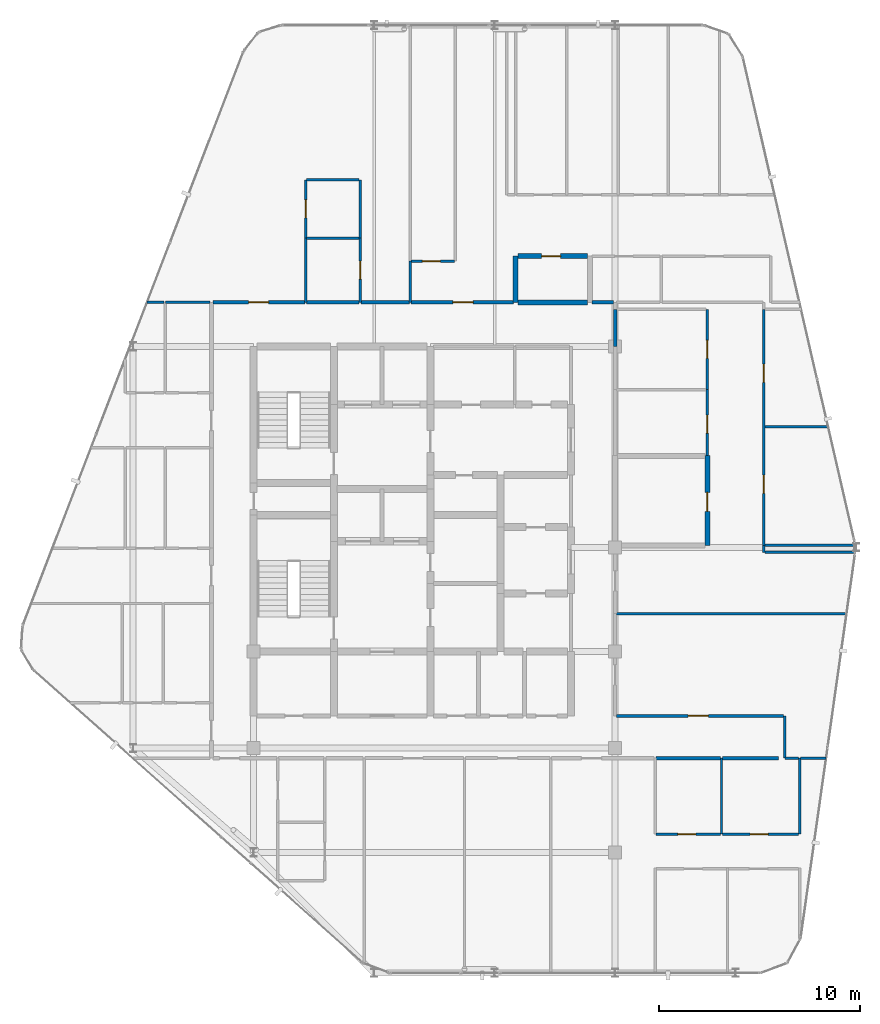
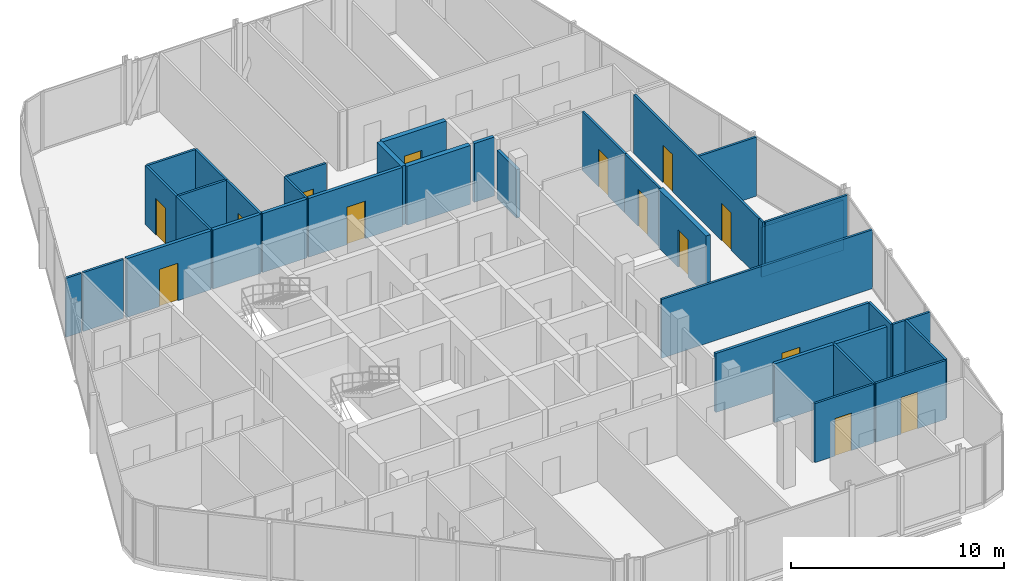
# One storey, part 25 of 27: 38 walls, 14 doors, 14 openings.
"""IFC4 building model written with IfcOpenShell, lengths in metres."""

import ifcopenshell
import ifcopenshell.guid

model = None  # the IFC model being written
_history = None  # IfcOwnerHistory: only IFC2X3 demands one
_inside = {}  # id of a spatial element -> (the spatial element, [elements in it])
_under = {}  # id of a project, library or spatial element -> (it, [spatial elements below it])
_declared = {}  # id of a project -> (the project, [libraries it declares])
_typed = {}  # id of a type object -> (the type object, [elements of that type])
_made_of = {}  # id of a material, layer set ... -> (it, [elements and type objects made of it])


def new_model(schema):
    """Start an empty IFC model of exactly this schema.

    Asked for "IFC4X3", IfcOpenShell would pick the latest addendum, in which some entities
    have other attributes; the version numbers below select the first issue.
    IFC2X3 requires an IfcOwnerHistory on every rooted entity: one is made here for all.
    """
    global model, _history
    if schema == "IFC4X3":
        model = ifcopenshell.file(schema_version=(4, 3, 0, 0))
    else:
        model = ifcopenshell.file(schema=schema)
    _inside.clear()
    _under.clear()
    _declared.clear()
    _typed.clear()
    _made_of.clear()
    _history = None
    if model.schema == "IFC2X3":
        org = make("IfcOrganization", Name="unknown")
        user = make(
            "IfcPersonAndOrganization",
            ThePerson=make("IfcPerson", FamilyName="unknown"),
            TheOrganization=org,
        )
        app = make(
            "IfcApplication",
            ApplicationDeveloper=org,
            Version="unknown",
            ApplicationFullName="unknown",
            ApplicationIdentifier="unknown",
        )
        _history = make(
            "IfcOwnerHistory",
            OwningUser=user,
            OwningApplication=app,
            ChangeAction="ADDED",
            CreationDate=0,
        )
    return model


def make(cls, **values):
    """One entity of the class cls with the attributes given. An attribute that is None is left unset."""
    return model.create_entity(
        cls, **{name: value for name, value in values.items() if value is not None}
    )


def rooted(cls, **values):
    """An entity with a GlobalId (a new one), such as an element, a storey or a relation."""
    return make(cls, GlobalId=ifcopenshell.guid.new(), OwnerHistory=_history, **values)


def si_unit(unit_type, name, prefix=None):
    """IfcSIUnit, for example si_unit("LENGTHUNIT", "METRE", prefix="MILLI")."""
    return make("IfcSIUnit", UnitType=unit_type, Prefix=prefix, Name=name)


def assignment(units):
    """IfcUnitAssignment: the units of a project."""
    return None if units is None else make("IfcUnitAssignment", Units=units)


def point(xyz):
    """IfcCartesianPoint."""
    return None if xyz is None else make("IfcCartesianPoint", Coordinates=xyz)


def direction(xyz):
    """IfcDirection."""
    return None if xyz is None else make("IfcDirection", DirectionRatios=xyz)


def frame(location, z_axis=None, x_axis=None):
    """IfcAxis2Placement3D, a coordinate frame: its origin and axes. An axis left out is left unset."""
    return make(
        "IfcAxis2Placement3D",
        Location=point(location),
        Axis=direction(z_axis),
        RefDirection=direction(x_axis),
    )


def frame_2d(location, x_axis=None):
    """IfcAxis2Placement2D, a coordinate frame in the plane: its origin and x axis."""
    return make(
        "IfcAxis2Placement2D", Location=point(location), RefDirection=direction(x_axis)
    )


def origin():
    """The frame at (0, 0, 0) with its axes left unset."""
    return frame((0.0, 0.0, 0.0))


def place(relative_to, where):
    """IfcLocalPlacement: puts the frame where relative to a parent placement (None: the world)."""
    return make(
        "IfcLocalPlacement", PlacementRelTo=relative_to, RelativePlacement=where
    )


def context(
    kind, dimensions, precision=None, world=None, true_north=None, identifier=None
):
    """IfcGeometricRepresentationContext, for example the 3D "Model" context."""
    return make(
        "IfcGeometricRepresentationContext",
        ContextIdentifier=identifier,
        ContextType=kind,
        CoordinateSpaceDimension=dimensions,
        Precision=precision,
        WorldCoordinateSystem=world,
        TrueNorth=true_north,
    )


def subcontext(parent, identifier, kind, view, scale=None):
    """IfcGeometricRepresentationSubContext, for example "Body" below "Model"."""
    return make(
        "IfcGeometricRepresentationSubContext",
        ContextIdentifier=identifier,
        ContextType=kind,
        ParentContext=parent,
        TargetScale=scale,
        TargetView=view,
    )


def project(units=None, contexts=None):
    """IfcProject with its units and contexts."""
    return rooted(
        "IfcProject",
        Name="project",
        RepresentationContexts=contexts,
        UnitsInContext=assignment(units),
    )


def spatial(cls, under=None, at=None, **own):
    """A site, building, storey or space (cls), placed at a placement, below another one or the project."""
    s = rooted(cls, ObjectPlacement=at, **own)
    if under is not None:
        _under.setdefault(under.id(), (under, []))[1].append(s)
    return s


def profile(cls, at=None, kind="AREA", **sizes):
    """A parametric profile (cls). Its sizes go by their IFC names, for example OverallWidth=200.0."""
    return make(cls, ProfileType=kind, Position=at, **sizes)


def rectangle(**sizes):
    """IfcRectangleProfileDef."""
    return profile("IfcRectangleProfileDef", **sizes)


def extrude(swept, where, along, depth):
    """IfcExtrudedAreaSolid: the profile swept, set in the frame where, extruded along a direction by depth."""
    return make(
        "IfcExtrudedAreaSolid",
        SweptArea=swept,
        Position=where,
        ExtrudedDirection=direction(along),
        Depth=depth,
    )


def shape(context_of_items, identifier, shape_type, items):
    """IfcShapeRepresentation: the items that make up one representation, for example the "Body"."""
    return make(
        "IfcShapeRepresentation",
        ContextOfItems=context_of_items,
        RepresentationIdentifier=identifier,
        RepresentationType=shape_type,
        Items=items,
    )


def material(Name=None, Category=None):
    """IfcMaterial."""
    return make("IfcMaterial", Name=Name, Category=Category)


def layer(
    of_material, thickness, ventilated=None, Name=None, Category=None, Priority=None
):
    """IfcMaterialLayer: one layer of a wall or slab, of a material (None: an air gap)."""
    return make(
        "IfcMaterialLayer",
        Material=of_material,
        LayerThickness=thickness,
        IsVentilated=ventilated,
        Name=Name,
        Category=Category,
        Priority=Priority,
    )


def layer_set(layers, Name=None):
    """IfcMaterialLayerSet."""
    return make("IfcMaterialLayerSet", MaterialLayers=layers, LayerSetName=Name)


def made_of(thing, what):
    """Note that an element or type object is made of a material, layer set ...; save() writes the relation."""
    if what is not None:
        _made_of.setdefault(what.id(), (what, []))[1].append(thing)
    return thing


def type_object(cls, material=None, **own):
    """A type object (cls), such as IfcWallType, which elements share."""
    return made_of(rooted(cls, **own), material)


def element(
    cls,
    number,
    at=None,
    inside=None,
    cuts=None,
    type_object=None,
    material=None,
    context=None,
    identifier="Body",
    shape_type=None,
    held_by="IfcProductDefinitionShape",
    body=None,
    shapes=None,
    **own,
):
    """One element of the class cls, such as IfcWall. Its Tag is "e" and its number.

    at: its placement. inside: the storey or other place that contains it. cuts: it is an
    opening in that element (IfcRelVoidsElement). A single representation is given by context,
    identifier, shape_type and body (its items); several are given by shapes. held_by: the class
    of the entity that holds the representations. save() writes the other relations.
    """
    e = rooted(cls, Tag="e%d" % number, ObjectPlacement=at, **own)
    if body is not None:
        shapes = [shape(context, identifier, shape_type, body)]
    if shapes is not None:
        e.Representation = make(held_by, Representations=shapes)
    if inside is not None:
        _inside.setdefault(inside.id(), (inside, []))[1].append(e)
    if cuts is not None:
        rooted(
            "IfcRelVoidsElement", RelatingBuildingElement=cuts, RelatedOpeningElement=e
        )
    if type_object is not None:
        _typed.setdefault(type_object.id(), (type_object, []))[1].append(e)
    return made_of(e, material)


def fill(opening, filler):
    """IfcRelFillsElement: the door or window that sits in an opening."""
    return rooted(
        "IfcRelFillsElement",
        RelatingOpeningElement=opening,
        RelatedBuildingElement=filler,
    )


def aggregate(whole, parts):
    """IfcRelAggregates: a whole, such as a stair, and the parts it consists of."""
    return rooted("IfcRelAggregates", RelatingObject=whole, RelatedObjects=parts)


def save(model, path):
    """Write the relations noted so far, then the file.

    IfcRelAggregates (storeys below a building ...), IfcRelContainedInSpatialStructure (elements
    in a storey), IfcRelDefinesByType, IfcRelAssociatesMaterial and IfcRelDeclares: one each for
    every whole, place, type object, material and project.
    """
    for whole, parts in _under.values():
        aggregate(whole, parts)
    for where, things in _inside.values():
        rooted(
            "IfcRelContainedInSpatialStructure",
            RelatedElements=things,
            RelatingStructure=where,
        )
    for kind, things in _typed.values():
        rooted("IfcRelDefinesByType", RelatedObjects=things, RelatingType=kind)
    for what, things in _made_of.values():
        rooted("IfcRelAssociatesMaterial", RelatedObjects=things, RelatingMaterial=what)
    for by, libraries in _declared.values():
        rooted("IfcRelDeclares", RelatingContext=by, RelatedDefinitions=libraries)
    model.write(path)


model = new_model("IFC4")

# Units and contexts
model_context = context("Model", 3, precision=1e-05, world=origin(), true_north=direction((0.0, 1.0)))
body_context = subcontext(model_context, "Body", "Model", "MODEL_VIEW")
ifc_project = project(units=[si_unit("LENGTHUNIT", "METRE"), si_unit("AREAUNIT", "SQUARE_METRE"), si_unit("VOLUMEUNIT", "CUBIC_METRE"), si_unit("PLANEANGLEUNIT", "RADIAN"), si_unit("MASSUNIT", "GRAM", prefix="KILO")], contexts=[model_context])

# Site, building, storey
site_placement = place(None, origin())
site = spatial("IfcSite", under=ifc_project, at=site_placement, CompositionType="ELEMENT")
building_placement = place(site_placement, origin())
building = spatial("IfcBuilding", under=site, at=building_placement, Name="Keshet Zoharim Tower", CompositionType="ELEMENT")
storey_placement = place(building_placement, frame((0.0, 0.0, 295.39990234375)))
storey = spatial("IfcBuildingStorey", under=building, at=storey_placement, Name="L74", CompositionType="ELEMENT", Elevation=295.39990234375)

# Wall, opening, door
ifc_material_1 = material(Name="Gypsum Plasterboard", Category="gypsum")
ifc_layer_1 = layer(ifc_material_1, 0.14990234375)
ifc_layer_set_1 = layer_set([ifc_layer_1], Name="Gypsum Plasterboard")
wall_type_1 = type_object("IfcWallType", Name="WL-CLIN-150", PredefinedType="STANDARD", material=ifc_layer_set_1)
wall_1_placement = place(storey_placement, frame((33.06005859375, 19.5, 0.0), z_axis=(0.0, 0.0, 1.0), x_axis=(1.0, 0.0, 0.0)))
wall_1 = element("IfcWall", 1, at=wall_1_placement, inside=storey, type_object=wall_type_1, Name="L74 Interior Wall 107", PredefinedType="STANDARD", context=body_context, shape_type="SweptSolid", body=[
    extrude(rectangle(XDim=8.322998046875, YDim=0.14990234375, at=frame_2d((4.16162109375, 0.0))), origin(), (0.0, 0.0, 1.0), 3.380126953125),
])
opening_1_placement = place(wall_1_placement, frame((3.5830078125, 0.0, 0.0)))
opening_1 = element("IfcOpeningElement", 2, at=opening_1_placement, cuts=wall_1, Name="Opening D-F310", PredefinedType="OPENING", context=body_context, shape_type="SweptSolid", body=[
    extrude(rectangle(XDim=1.0, YDim=2.14990234375, at=frame_2d((0.5, 1.074951171875))), frame((0.0, 0.0849609375, 0.0), z_axis=(0.0, -1.0, 0.0), x_axis=(1.0, 0.0, 0.0)), (0.0, 0.0, 1.0), 0.169921875),
])
ifc_material_2 = material(Name="Hardwood Timber", Category="wood")
door_type_1 = type_object("IfcDoorType", Name="DR-FD30-100", OperationType="NOTDEFINED", PredefinedType="DOOR", material=ifc_material_2)
door_1_placement = place(opening_1_placement, origin())
door_1 = element("IfcDoor", 3, at=door_1_placement, inside=storey, type_object=door_type_1, Name="L74 South West Residents Services Suite Door 1", OperationType="SINGLE_SWING_RIGHT", OverallHeight=2.14990234375, OverallWidth=1.0, PredefinedType="DOOR", context=body_context, shape_type="SweptSolid", body=[
    extrude(rectangle(XDim=1.0, YDim=2.14990234375, at=frame_2d((0.5, 1.074951171875))), frame((0.0, 0.02490234375, 0.0), z_axis=(0.0, -1.0, 0.0), x_axis=(1.0, 0.0, 0.0)), (0.0, 0.0, 1.0), 0.050048828125),
])
fill(opening_1, door_1)

# Walls
ifc_layer_2 = layer(ifc_material_1, 0.179931640625)
ifc_layer_set_2 = layer_set([ifc_layer_2], Name="Gypsum Plasterboard")
wall_type_2 = type_object("IfcWallType", Name="WL-CORR-180", PredefinedType="STANDARD", material=ifc_layer_set_2)
wall_2_placement = place(storey_placement, frame((35.034912109375, 17.39990234375, 0.0), z_axis=(0.0, 0.0, 1.0), x_axis=(1.0, 0.0, 0.0)))
element("IfcWall", 4, at=wall_2_placement, inside=storey, type_object=wall_type_2, Name="L74 Interior Wall 099", PredefinedType="STANDARD", context=body_context, shape_type="SweptSolid", body=[
    extrude(rectangle(XDim=3.22216796875, YDim=0.179931640625, at=frame_2d((1.611083984375, 0.0))), origin(), (0.0, 0.0, 1.0), 3.380126953125),
])
wall_3_placement = place(storey_placement, frame((38.346923828125, 17.39990234375, 0.0), z_axis=(0.0, 0.0, 1.0), x_axis=(1.0, 0.0, 0.0)))
element("IfcWall", 5, at=wall_3_placement, inside=storey, type_object=wall_type_2, Name="L74 Interior Wall 100", PredefinedType="STANDARD", context=body_context, shape_type="SweptSolid", body=[
    extrude(rectangle(XDim=2.782958984375, YDim=0.179931640625, at=frame_2d((1.3916015625, 0.0))), origin(), (0.0, 0.0, 1.0), 3.380126953125),
])

# Wall, opening, door
wall_4_placement = place(storey_placement, frame((12.97509765625, 40.10009765625, 0.0), z_axis=(0.0, 0.0, 1.0), x_axis=(1.0, 0.0, 0.0)))
wall_4 = element("IfcWall", 6, at=wall_4_placement, inside=storey, type_object=wall_type_2, Name="L74 Interior Wall 155", PredefinedType="STANDARD", context=body_context, shape_type="SweptSolid", body=[
    extrude(rectangle(XDim=4.579833984375, YDim=0.179931640625, at=frame_2d((2.2900390625, 0.0))), origin(), (0.0, 0.0, 1.0), 3.380126953125),
])
opening_2_placement = place(wall_4_placement, frame((1.77490234375, 0.0, 0.0)))
opening_2 = element("IfcOpeningElement", 7, at=opening_2_placement, cuts=wall_4, Name="Opening D-F310", PredefinedType="OPENING", context=body_context, shape_type="SweptSolid", body=[
    extrude(rectangle(XDim=1.0, YDim=2.14990234375, at=frame_2d((0.5, 1.074951171875))), frame((0.0, 0.10009765625, 0.0), z_axis=(0.0, -1.0, 0.0), x_axis=(1.0, 0.0, 0.0)), (0.0, 0.0, 1.0), 0.199951171875),
])
door_2_placement = place(opening_2_placement, origin())
door_2 = element("IfcDoor", 8, at=door_2_placement, inside=storey, type_object=door_type_1, Name="Apartment 7403 Entrance Door", OperationType="SINGLE_SWING_LEFT", OverallHeight=2.14990234375, OverallWidth=1.0, PredefinedType="DOOR", context=body_context, shape_type="SweptSolid", body=[
    extrude(rectangle(XDim=1.0, YDim=2.14990234375, at=frame_2d((0.5, 1.074951171875))), frame((0.0, 0.02490234375, 0.0), z_axis=(0.0, -1.0, 0.0), x_axis=(1.0, 0.0, 0.0)), (0.0, 0.0, 1.0), 0.050048828125),
])
fill(opening_2, door_2)

# Walls
wall_5_placement = place(storey_placement, frame((17.64501953125, 40.10009765625, 0.0), z_axis=(0.0, 0.0, 1.0), x_axis=(1.0, 0.0, 0.0)))
element("IfcWall", 9, at=wall_5_placement, inside=storey, type_object=wall_type_2, Name="L74 Interior Wall 156", PredefinedType="STANDARD", context=body_context, shape_type="SweptSolid", body=[
    extrude(rectangle(XDim=2.60986328125, YDim=0.179931640625, at=frame_2d((1.304931640625, 0.0))), origin(), (0.0, 0.0, 1.0), 3.380126953125),
])
wall_6_placement = place(storey_placement, frame((20.344970703125, 40.10009765625, 0.0), z_axis=(0.0, 0.0, 1.0), x_axis=(1.0, 0.0, 0.0)))
element("IfcWall", 10, at=wall_6_placement, inside=storey, type_object=wall_type_2, Name="L74 Interior Wall 157", PredefinedType="STANDARD", context=body_context, shape_type="SweptSolid", body=[
    extrude(rectangle(XDim=2.409912109375, YDim=0.179931640625, at=frame_2d((1.205078125, 0.0))), origin(), (0.0, 0.0, 1.0), 3.380126953125),
])

# Wall, opening, door
wall_7_placement = place(storey_placement, frame((22.844970703125, 40.10009765625, 0.0), z_axis=(0.0, 0.0, 1.0), x_axis=(1.0, 0.0, 0.0)))
wall_7 = element("IfcWall", 11, at=wall_7_placement, inside=storey, type_object=wall_type_2, Name="L74 Interior Wall 158", PredefinedType="STANDARD", context=body_context, shape_type="SweptSolid", body=[
    extrude(rectangle(XDim=5.094970703125, YDim=0.179931640625, at=frame_2d((2.54736328125, 0.0))), origin(), (0.0, 0.0, 1.0), 3.380126953125),
])
opening_3_placement = place(wall_7_placement, frame((2.080078125, 0.0, 0.0)))
opening_3 = element("IfcOpeningElement", 12, at=opening_3_placement, cuts=wall_7, Name="Opening D-F310", PredefinedType="OPENING", context=body_context, shape_type="SweptSolid", body=[
    extrude(rectangle(XDim=1.0, YDim=2.14990234375, at=frame_2d((0.5, 1.074951171875))), frame((0.0, 0.10009765625, 0.0), z_axis=(0.0, -1.0, 0.0), x_axis=(1.0, 0.0, 0.0)), (0.0, 0.0, 1.0), 0.199951171875),
])
door_3_placement = place(opening_3_placement, origin())
door_3 = element("IfcDoor", 13, at=door_3_placement, inside=storey, type_object=door_type_1, Name="Apartment 7404 Entrance Door", OperationType="SINGLE_SWING_RIGHT", OverallHeight=2.14990234375, OverallWidth=1.0, PredefinedType="DOOR", context=body_context, shape_type="SweptSolid", body=[
    extrude(rectangle(XDim=1.0, YDim=2.14990234375, at=frame_2d((0.5, 1.074951171875))), frame((0.0, 0.02490234375, 0.0), z_axis=(0.0, -1.0, 0.0), x_axis=(1.0, 0.0, 0.0)), (0.0, 0.0, 1.0), 0.050048828125),
])
fill(opening_3, door_3)

# Walls
wall_8_placement = place(storey_placement, frame((31.843017578125, 40.10009765625, 0.0), z_axis=(0.0, 0.0, 1.0), x_axis=(1.0, 0.0, 0.0)))
element("IfcWall", 14, at=wall_8_placement, inside=storey, type_object=wall_type_2, Name="L74 Interior Wall 160", PredefinedType="STANDARD", context=body_context, shape_type="SweptSolid", body=[
    extrude(rectangle(XDim=1.08203125, YDim=0.179931640625, at=frame_2d((0.541015625, 0.0))), origin(), (0.0, 0.0, 1.0), 3.380126953125),
])
wall_9_placement = place(storey_placement, frame((33.0, 37.89990234375, 0.0), z_axis=(0.0, 0.0, 1.0), x_axis=(0.0, 1.0, 0.0)))
element("IfcWall", 15, at=wall_9_placement, inside=storey, type_object=wall_type_2, Name="L74 Interior Wall 067 Part 2", PredefinedType="STANDARD", context=body_context, shape_type="SweptSolid", body=[
    extrude(rectangle(XDim=1.85009765625, YDim=0.179931640625, at=frame_2d((0.925048828125, 0.0))), origin(), (0.0, 0.0, 1.0), 2.780029296875),
])
ifc_material_3 = material(Name="Concrete C50/60", Category="concrete")
ifc_layer_3 = layer(ifc_material_3, 0.25)
ifc_layer_set_3 = layer_set([ifc_layer_3], Name="Concrete C50/60")
wall_type_3 = type_object("IfcWallType", Name="WL-MAMAD-250", PredefinedType="STANDARD", material=ifc_layer_set_3)
wall_10_placement = place(storey_placement, frame((28.050048828125, 40.10009765625, 0.0), z_axis=(0.0, 0.0, 1.0), x_axis=(0.0, 1.0, 0.0)))
element("IfcWall", 16, at=wall_10_placement, inside=storey, type_object=wall_type_3, Name="L74 Interior Wall 051", PredefinedType="STANDARD", context=body_context, shape_type="SweptSolid", body=[
    extrude(rectangle(XDim=2.2998046875, YDim=0.25, at=frame_2d((1.14990234375, 0.0))), origin(), (0.0, 0.0, 1.0), 3.380126953125),
])

# Wall, opening, door
wall_11_placement = place(storey_placement, frame((37.60009765625, 28.0, 0.0), z_axis=(0.0, 0.0, 1.0), x_axis=(0.0, 1.0, 0.0)))
wall_11 = element("IfcWall", 17, at=wall_11_placement, inside=storey, type_object=wall_type_3, Name="L74 Interior Wall 074", PredefinedType="STANDARD", context=body_context, shape_type="SweptSolid", body=[
    extrude(rectangle(XDim=4.465087890625, YDim=0.25, at=frame_2d((2.232421875, 0.0))), origin(), (0.0, 0.0, 1.0), 3.380126953125),
])
opening_4_placement = place(wall_11_placement, frame((1.68603515625, 0.0, 0.0)))
opening_4 = element("IfcOpeningElement", 18, at=opening_4_placement, cuts=wall_11, Name="Opening D-F695", PredefinedType="OPENING", context=body_context, shape_type="SweptSolid", body=[
    extrude(rectangle(XDim=0.949951171875, YDim=2.14990234375, at=frame_2d((0.47509765625, 1.074951171875))), frame((0.0, 0.135009765625, 0.0), z_axis=(0.0, -1.0, 0.0), x_axis=(1.0, 0.0, 0.0)), (0.0, 0.0, 1.0), 0.27001953125),
])
door_type_2 = type_object("IfcDoorType", Name="DR-FD60-095", OperationType="NOTDEFINED", PredefinedType="DOOR", material=ifc_material_2)
door_4_placement = place(opening_4_placement, origin())
door_4 = element("IfcDoor", 19, at=door_4_placement, inside=storey, type_object=door_type_2, Name="Apartment 7408 Study and Shelter Room Door", OperationType="SINGLE_SWING_RIGHT", OverallHeight=2.14990234375, OverallWidth=0.949951171875, PredefinedType="DOOR", context=body_context, shape_type="SweptSolid", body=[
    extrude(rectangle(XDim=0.949951171875, YDim=2.14990234375, at=frame_2d((0.47509765625, 1.074951171875))), frame((0.0, 0.02490234375, 0.0), z_axis=(0.0, -1.0, 0.0), x_axis=(1.0, 0.0, 0.0)), (0.0, 0.0, 1.0), 0.050048828125),
])
fill(opening_4, door_4)

# Wall
wall_12_placement = place(storey_placement, frame((28.159912109375, 40.10009765625, 0.0), z_axis=(0.0, 0.0, 1.0), x_axis=(1.0, 0.0, 0.0)))
element("IfcWall", 20, at=wall_12_placement, inside=storey, type_object=wall_type_3, Name="L74 Interior Wall 159", PredefinedType="STANDARD", context=body_context, shape_type="SweptSolid", body=[
    extrude(rectangle(XDim=3.463134765625, YDim=0.25, at=frame_2d((1.7314453125, 0.0))), origin(), (0.0, 0.0, 1.0), 3.380126953125),
])

# Wall, opening, door
wall_13_placement = place(storey_placement, frame((28.159912109375, 42.39990234375, 0.0), z_axis=(0.0, 0.0, 1.0), x_axis=(1.0, 0.0, 0.0)))
wall_13 = element("IfcWall", 21, at=wall_13_placement, inside=storey, type_object=wall_type_3, Name="L74 Interior Wall 165", PredefinedType="STANDARD", context=body_context, shape_type="SweptSolid", body=[
    extrude(rectangle(XDim=3.463134765625, YDim=0.25, at=frame_2d((1.7314453125, 0.0))), origin(), (0.0, 0.0, 1.0), 3.380126953125),
])
opening_5_placement = place(wall_13_placement, frame((1.18310546875, 0.0, 0.0)))
opening_5 = element("IfcOpeningElement", 22, at=opening_5_placement, cuts=wall_13, Name="Opening D-F695", PredefinedType="OPENING", context=body_context, shape_type="SweptSolid", body=[
    extrude(rectangle(XDim=0.949951171875, YDim=2.14990234375, at=frame_2d((0.47509765625, 1.074951171875))), frame((0.0, 0.135009765625, 0.0), z_axis=(0.0, -1.0, 0.0), x_axis=(1.0, 0.0, 0.0)), (0.0, 0.0, 1.0), 0.27001953125),
])
door_5_placement = place(opening_5_placement, origin())
door_5 = element("IfcDoor", 23, at=door_5_placement, inside=storey, type_object=door_type_2, Name="Apartment 7404 Study and Shelter Room Door", OperationType="SINGLE_SWING_RIGHT", OverallHeight=2.14990234375, OverallWidth=0.949951171875, PredefinedType="DOOR", context=body_context, shape_type="SweptSolid", body=[
    extrude(rectangle(XDim=0.949951171875, YDim=2.14990234375, at=frame_2d((0.47509765625, 1.074951171875))), frame((0.0, 0.02490234375, 0.0), z_axis=(0.0, -1.0, 0.0), x_axis=(1.0, 0.0, 0.0)), (0.0, 0.0, 1.0), 0.050048828125),
])
fill(opening_5, door_5)

# Wall
ifc_layer_4 = layer(ifc_material_1, 0.1201171875)
ifc_layer_set_4 = layer_set([ifc_layer_4], Name="Gypsum Plasterboard")
wall_type_4 = type_object("IfcWallType", Name="WL-PART-120", PredefinedType="PARTITIONING", material=ifc_layer_set_4)
wall_14_placement = place(storey_placement, frame((17.60009765625, 40.10009765625, 0.0), z_axis=(0.0, 0.0, 1.0), x_axis=(0.0, 1.0, 0.0)))
element("IfcWall", 24, at=wall_14_placement, inside=storey, type_object=wall_type_4, Name="L74 Interior Wall 019", PredefinedType="PARTITIONING", context=body_context, shape_type="SweptSolid", body=[
    extrude(rectangle(XDim=3.199951171875, YDim=0.1201171875, at=frame_2d((1.60009765625, 0.0))), origin(), (0.0, 0.0, 1.0), 3.380126953125),
])

# Wall, opening, door
wall_15_placement = place(storey_placement, frame((20.300048828125, 40.10009765625, 0.0), z_axis=(0.0, 0.0, 1.0), x_axis=(0.0, 1.0, 0.0)))
wall_15 = element("IfcWall", 25, at=wall_15_placement, inside=storey, type_object=wall_type_4, Name="L74 Interior Wall 028", PredefinedType="PARTITIONING", context=body_context, shape_type="SweptSolid", body=[
    extrude(rectangle(XDim=3.199951171875, YDim=0.1201171875, at=frame_2d((1.60009765625, 0.0))), origin(), (0.0, 0.0, 1.0), 3.380126953125),
])
opening_6_placement = place(wall_15_placement, frame((1.14990234375, 0.0, 0.0)))
opening_6 = element("IfcOpeningElement", 26, at=opening_6_placement, cuts=wall_15, Name="Opening D-IN90", PredefinedType="OPENING", context=body_context, shape_type="SweptSolid", body=[
    extrude(rectangle(XDim=0.89990234375, YDim=2.14990234375, at=frame_2d((0.449951171875, 1.074951171875))), frame((0.0, 0.070068359375, 0.0), z_axis=(0.0, -1.0, 0.0), x_axis=(1.0, 0.0, 0.0)), (0.0, 0.0, 1.0), 0.14013671875),
])
door_type_3 = type_object("IfcDoorType", Name="DR-INT-090", OperationType="NOTDEFINED", PredefinedType="DOOR", material=ifc_material_2)
door_6_placement = place(opening_6_placement, origin())
door_6 = element("IfcDoor", 27, at=door_6_placement, inside=storey, type_object=door_type_3, Name="Apartment 7403 Kitchenette Door", OperationType="SINGLE_SWING_RIGHT", OverallHeight=2.14990234375, OverallWidth=0.89990234375, PredefinedType="DOOR", context=body_context, shape_type="SweptSolid", body=[
    extrude(rectangle(XDim=0.89990234375, YDim=2.14990234375, at=frame_2d((0.449951171875, 1.074951171875))), frame((0.0, 0.02490234375, 0.0), z_axis=(0.0, -1.0, 0.0), x_axis=(1.0, 0.0, 0.0)), (0.0, 0.0, 1.0), 0.050048828125),
])
fill(opening_6, door_6)

# Wall
wall_16_placement = place(storey_placement, frame((22.800048828125, 40.10009765625, 0.0), z_axis=(0.0, 0.0, 1.0), x_axis=(0.0, 1.0, 0.0)))
element("IfcWall", 28, at=wall_16_placement, inside=storey, type_object=wall_type_4, Name="L74 Interior Wall 033", PredefinedType="PARTITIONING", context=body_context, shape_type="SweptSolid", body=[
    extrude(rectangle(XDim=2.0498046875, YDim=0.1201171875, at=frame_2d((1.02490234375, 0.0))), origin(), (0.0, 0.0, 1.0), 3.380126953125),
])

# Wall, opening, door
wall_17_placement = place(storey_placement, frame((37.60009765625, 35.7548828125, 0.0), z_axis=(0.0, 0.0, 1.0), x_axis=(0.0, 1.0, 0.0)))
wall_17 = element("IfcWall", 29, at=wall_17_placement, inside=storey, type_object=wall_type_4, Name="L74 Interior Wall 076", PredefinedType="PARTITIONING", context=body_context, shape_type="SweptSolid", body=[
    extrude(rectangle(XDim=3.9951171875, YDim=0.1201171875, at=frame_2d((1.99755859375, 0.0))), origin(), (0.0, 0.0, 1.0), 3.380126953125),
])
opening_7_placement = place(wall_17_placement, frame((1.548095703125, 0.0, 0.0)))
opening_7 = element("IfcOpeningElement", 30, at=opening_7_placement, cuts=wall_17, Name="Opening D-IN90", PredefinedType="OPENING", context=body_context, shape_type="SweptSolid", body=[
    extrude(rectangle(XDim=0.89990234375, YDim=2.14990234375, at=frame_2d((0.449951171875, 1.074951171875))), frame((0.0, 0.070068359375, 0.0), z_axis=(0.0, -1.0, 0.0), x_axis=(1.0, 0.0, 0.0)), (0.0, 0.0, 1.0), 0.14013671875),
])
door_7_placement = place(opening_7_placement, origin())
door_7 = element("IfcDoor", 31, at=door_7_placement, inside=storey, type_object=door_type_3, Name="Apartment 7408 Kitchen Door", OperationType="SINGLE_SWING_RIGHT", OverallHeight=2.14990234375, OverallWidth=0.89990234375, PredefinedType="DOOR", context=body_context, shape_type="SweptSolid", body=[
    extrude(rectangle(XDim=0.89990234375, YDim=2.14990234375, at=frame_2d((0.449951171875, 1.074951171875))), frame((0.0, 0.02490234375, 0.0), z_axis=(0.0, -1.0, 0.0), x_axis=(1.0, 0.0, 0.0)), (0.0, 0.0, 1.0), 0.050048828125),
])
fill(opening_7, door_7)

# Wall
wall_18_placement = place(storey_placement, frame((40.39990234375, 27.64990234375, 0.0), z_axis=(0.0, 0.0, 1.0), x_axis=(0.0, 1.0, 0.0)))
element("IfcWall", 32, at=wall_18_placement, inside=storey, type_object=wall_type_4, Name="L74 Interior Wall 080", PredefinedType="PARTITIONING", context=body_context, shape_type="SweptSolid", body=[
    extrude(rectangle(XDim=0.35009765625, YDim=0.1201171875, at=frame_2d((0.175048828125, 0.0))), origin(), (0.0, 0.0, 1.0), 3.380126953125),
])

# Wall, openings, doors
wall_19_placement = place(storey_placement, frame((40.39990234375, 28.0, 0.0), z_axis=(0.0, 0.0, 1.0), x_axis=(0.0, 1.0, 0.0)))
wall_19 = element("IfcWall", 33, at=wall_19_placement, inside=storey, type_object=wall_type_4, Name="L74 Interior Wall 081", PredefinedType="PARTITIONING", context=body_context, shape_type="SweptSolid", body=[
    extrude(rectangle(XDim=11.75, YDim=0.1201171875, at=frame_2d((5.875, 0.0))), origin(), (0.0, 0.0, 1.0), 3.380126953125),
])
opening_8_placement = place(wall_19_placement, frame((2.591064453125, 0.0, 0.0)))
opening_8 = element("IfcOpeningElement", 34, at=opening_8_placement, cuts=wall_19, Name="Opening D-IN90", PredefinedType="OPENING", context=body_context, shape_type="SweptSolid", body=[
    extrude(rectangle(XDim=0.89990234375, YDim=2.14990234375, at=frame_2d((0.449951171875, 1.074951171875))), frame((0.0, 0.070068359375, 0.0), z_axis=(0.0, -1.0, 0.0), x_axis=(1.0, 0.0, 0.0)), (0.0, 0.0, 1.0), 0.14013671875),
])
opening_9_placement = place(wall_19_placement, frame((8.115966796875, 0.0, 0.0)))
opening_9 = element("IfcOpeningElement", 35, at=opening_9_placement, cuts=wall_19, Name="Opening D-IN90", PredefinedType="OPENING", context=body_context, shape_type="SweptSolid", body=[
    extrude(rectangle(XDim=0.89990234375, YDim=2.14990234375, at=frame_2d((0.449951171875, 1.074951171875))), frame((0.0, 0.070068359375, 0.0), z_axis=(0.0, -1.0, 0.0), x_axis=(1.0, 0.0, 0.0)), (0.0, 0.0, 1.0), 0.14013671875),
])
door_8_placement = place(opening_8_placement, origin())
door_8 = element("IfcDoor", 36, at=door_8_placement, inside=storey, type_object=door_type_3, Name="Apartment 7408 Bedroom 1 Door", OperationType="SINGLE_SWING_LEFT", OverallHeight=2.14990234375, OverallWidth=0.89990234375, PredefinedType="DOOR", context=body_context, shape_type="SweptSolid", body=[
    extrude(rectangle(XDim=0.89990234375, YDim=2.14990234375, at=frame_2d((0.449951171875, 1.074951171875))), frame((0.0, 0.02490234375, 0.0), z_axis=(0.0, -1.0, 0.0), x_axis=(1.0, 0.0, 0.0)), (0.0, 0.0, 1.0), 0.050048828125),
])
fill(opening_8, door_8)
door_9_placement = place(opening_9_placement, origin())
door_9 = element("IfcDoor", 37, at=door_9_placement, inside=storey, type_object=door_type_3, Name="Apartment 7408 Bedroom 2 Door", OperationType="SINGLE_SWING_RIGHT", OverallHeight=2.14990234375, OverallWidth=0.89990234375, PredefinedType="DOOR", context=body_context, shape_type="SweptSolid", body=[
    extrude(rectangle(XDim=0.89990234375, YDim=2.14990234375, at=frame_2d((0.449951171875, 1.074951171875))), frame((0.0, 0.02490234375, 0.0), z_axis=(0.0, -1.0, 0.0), x_axis=(1.0, 0.0, 0.0)), (0.0, 0.0, 1.0), 0.050048828125),
])
fill(opening_9, door_9)

# Wall
wall_20_placement = place(storey_placement, frame((41.449951171875, 17.39990234375, 0.0), z_axis=(0.0, 0.0, 1.0), x_axis=(0.0, 1.0, 0.0)))
element("IfcWall", 38, at=wall_20_placement, inside=storey, type_object=wall_type_4, Name="L74 Interior Wall 084", PredefinedType="PARTITIONING", context=body_context, shape_type="SweptSolid", body=[
    extrude(rectangle(XDim=2.09912109375, YDim=0.1201171875, at=frame_2d((1.049560546875, 0.0))), origin(), (0.0, 0.0, 1.0), 3.380126953125),
])

# Wall, opening, door
wall_21_placement = place(storey_placement, frame((35.034912109375, 13.60009765625, 0.0), z_axis=(0.0, 0.0, 1.0), x_axis=(1.0, 0.0, 0.0)))
wall_21 = element("IfcWall", 39, at=wall_21_placement, inside=storey, type_object=wall_type_4, Name="L74 Interior Wall 089", PredefinedType="PARTITIONING", context=body_context, shape_type="SweptSolid", body=[
    extrude(rectangle(XDim=3.22216796875, YDim=0.1201171875, at=frame_2d((1.611083984375, 0.0))), origin(), (0.0, 0.0, 1.0), 3.380126953125),
])
opening_10_placement = place(wall_21_placement, frame((1.087890625, 0.0, 0.0)))
opening_10 = element("IfcOpeningElement", 40, at=opening_10_placement, cuts=wall_21, Name="Opening D-IN90", PredefinedType="OPENING", context=body_context, shape_type="SweptSolid", body=[
    extrude(rectangle(XDim=0.89990234375, YDim=2.14990234375, at=frame_2d((0.449951171875, 1.074951171875))), frame((0.0, 0.070068359375, 0.0), z_axis=(0.0, -1.0, 0.0), x_axis=(1.0, 0.0, 0.0)), (0.0, 0.0, 1.0), 0.14013671875),
])
door_10_placement = place(opening_10_placement, origin())
door_10 = element("IfcDoor", 41, at=door_10_placement, inside=storey, type_object=door_type_3, Name="Apartment 7402 Kitchen Door", OperationType="SINGLE_SWING_LEFT", OverallHeight=2.14990234375, OverallWidth=0.89990234375, PredefinedType="DOOR", context=body_context, shape_type="SweptSolid", body=[
    extrude(rectangle(XDim=0.89990234375, YDim=2.14990234375, at=frame_2d((0.449951171875, 1.074951171875))), frame((0.0, 0.02490234375, 0.0), z_axis=(0.0, -1.0, 0.0), x_axis=(1.0, 0.0, 0.0)), (0.0, 0.0, 1.0), 0.050048828125),
])
fill(opening_10, door_10)

# Walls
wall_22_placement = place(storey_placement, frame((42.236083984375, 17.39990234375, 0.0), z_axis=(0.0, 0.0, 1.0), x_axis=(1.0, 0.0, 0.0)))
element("IfcWall", 42, at=wall_22_placement, inside=storey, type_object=wall_type_4, Name="L74 Interior Wall 102", PredefinedType="PARTITIONING", context=body_context, shape_type="SweptSolid", body=[
    extrude(rectangle(XDim=1.267822265625, YDim=0.1201171875, at=frame_2d((0.6337890625, 0.0))), origin(), (0.0, 0.0, 1.0), 3.380126953125),
])
wall_23_placement = place(storey_placement, frame((33.074951171875, 24.60009765625, 0.0), z_axis=(0.0, 0.0, 1.0), x_axis=(1.0, 0.0, 0.0)))
element("IfcWall", 43, at=wall_23_placement, inside=storey, type_object=wall_type_4, Name="L74 Interior Wall 116", PredefinedType="PARTITIONING", context=body_context, shape_type="SweptSolid", body=[
    extrude(rectangle(XDim=11.447998046875, YDim=0.1201171875, at=frame_2d((5.72412109375, 0.0))), origin(), (0.0, 0.0, 1.0), 3.380126953125),
])
wall_24_placement = place(storey_placement, frame((40.465087890625, 27.64990234375, 0.0), z_axis=(0.0, 0.0, 1.0), x_axis=(1.0, 0.0, 0.0)))
element("IfcWall", 44, at=wall_24_placement, inside=storey, type_object=wall_type_4, Name="L74 Interior Wall 122", PredefinedType="PARTITIONING", context=body_context, shape_type="SweptSolid", body=[
    extrude(rectangle(XDim=4.468017578125, YDim=0.1201171875, at=frame_2d((2.23388671875, 0.0))), origin(), (0.0, 0.0, 1.0), 3.380126953125),
])
wall_25_placement = place(storey_placement, frame((40.465087890625, 28.0, 0.0), z_axis=(0.0, 0.0, 1.0), x_axis=(1.0, 0.0, 0.0)))
element("IfcWall", 45, at=wall_25_placement, inside=storey, type_object=wall_type_4, Name="L74 Interior Wall 127", PredefinedType="PARTITIONING", context=body_context, shape_type="SweptSolid", body=[
    extrude(rectangle(XDim=4.451904296875, YDim=0.1201171875, at=frame_2d((2.22607421875, 0.0))), origin(), (0.0, 0.0, 1.0), 2.880126953125),
])
wall_26_placement = place(storey_placement, frame((40.465087890625, 33.89990234375, 0.0), z_axis=(0.0, 0.0, 1.0), x_axis=(1.0, 0.0, 0.0)))
element("IfcWall", 46, at=wall_26_placement, inside=storey, type_object=wall_type_4, Name="L74 Interior Wall 140", PredefinedType="PARTITIONING", context=body_context, shape_type="SweptSolid", body=[
    extrude(rectangle(XDim=3.139892578125, YDim=0.1201171875, at=frame_2d((1.56982421875, 0.0))), origin(), (0.0, 0.0, 1.0), 3.380126953125),
])
wall_27_placement = place(storey_placement, frame((9.701904296875, 40.10009765625, 0.0), z_axis=(0.0, 0.0, 1.0), x_axis=(1.0, 0.0, 0.0)))
element("IfcWall", 47, at=wall_27_placement, inside=storey, type_object=wall_type_4, Name="L74 Interior Wall 153", PredefinedType="PARTITIONING", context=body_context, shape_type="SweptSolid", body=[
    extrude(rectangle(XDim=0.8310546875, YDim=0.1201171875, at=frame_2d((0.41552734375, 0.0))), origin(), (0.0, 0.0, 1.0), 3.380126953125),
])

# Wall, opening, door
wall_28_placement = place(storey_placement, frame((22.844970703125, 42.14990234375, 0.0), z_axis=(0.0, 0.0, 1.0), x_axis=(1.0, 0.0, 0.0)))
wall_28 = element("IfcWall", 48, at=wall_28_placement, inside=storey, type_object=wall_type_4, Name="L74 Interior Wall 164", PredefinedType="PARTITIONING", context=body_context, shape_type="SweptSolid", body=[
    extrude(rectangle(XDim=2.159912109375, YDim=0.1201171875, at=frame_2d((1.080078125, 0.0))), origin(), (0.0, 0.0, 1.0), 3.380126953125),
])
opening_11_placement = place(wall_28_placement, frame((0.552978515625, 0.0, 0.0)))
opening_11 = element("IfcOpeningElement", 49, at=opening_11_placement, cuts=wall_28, Name="Opening D-IN90", PredefinedType="OPENING", context=body_context, shape_type="SweptSolid", body=[
    extrude(rectangle(XDim=0.89990234375, YDim=2.14990234375, at=frame_2d((0.449951171875, 1.074951171875))), frame((0.0, 0.070068359375, 0.0), z_axis=(0.0, -1.0, 0.0), x_axis=(1.0, 0.0, 0.0)), (0.0, 0.0, 1.0), 0.14013671875),
])
door_11_placement = place(opening_11_placement, origin())
door_11 = element("IfcDoor", 50, at=door_11_placement, inside=storey, type_object=door_type_3, Name="Apartment 7404 Formal Dining Room Door", OperationType="SINGLE_SWING_LEFT", OverallHeight=2.14990234375, OverallWidth=0.89990234375, PredefinedType="DOOR", context=body_context, shape_type="SweptSolid", body=[
    extrude(rectangle(XDim=0.89990234375, YDim=2.14990234375, at=frame_2d((0.449951171875, 1.074951171875))), frame((0.0, 0.02490234375, 0.0), z_axis=(0.0, -1.0, 0.0), x_axis=(1.0, 0.0, 0.0)), (0.0, 0.0, 1.0), 0.050048828125),
])
fill(opening_11, door_11)

ifc_layer_5 = layer(ifc_material_1, 0.1201171875)
ifc_layer_set_5 = layer_set([ifc_layer_5], Name="Gypsum Plasterboard")
wall_type_5 = type_object("IfcWallType", Name="WL-WET-120", PredefinedType="PARTITIONING", material=ifc_layer_set_5)
wall_29_placement = place(storey_placement, frame((17.60009765625, 43.300048828125, 0.0), z_axis=(0.0, 0.0, 1.0), x_axis=(0.0, 1.0, 0.0)))
wall_29 = element("IfcWall", 51, at=wall_29_placement, inside=storey, type_object=wall_type_5, Name="L74 Interior Wall 020", PredefinedType="PARTITIONING", context=body_context, shape_type="SweptSolid", body=[
    extrude(rectangle(XDim=2.89990234375, YDim=0.1201171875, at=frame_2d((1.449951171875, 0.0))), origin(), (0.0, 0.0, 1.0), 3.380126953125),
])
opening_12_placement = place(wall_29_placement, frame((1.0, 0.0, 0.0)))
opening_12 = element("IfcOpeningElement", 52, at=opening_12_placement, cuts=wall_29, Name="Opening D-WT90", PredefinedType="OPENING", context=body_context, shape_type="SweptSolid", body=[
    extrude(rectangle(XDim=0.89990234375, YDim=2.10009765625, at=frame_2d((0.449951171875, 1.050048828125))), frame((0.0, 0.070068359375, 0.0), z_axis=(0.0, -1.0, 0.0), x_axis=(1.0, 0.0, 0.0)), (0.0, 0.0, 1.0), 0.14013671875),
])
door_type_4 = type_object("IfcDoorType", Name="DR-WET-090", OperationType="NOTDEFINED", PredefinedType="DOOR", material=ifc_material_2)
door_12_placement = place(opening_12_placement, origin())
door_12 = element("IfcDoor", 53, at=door_12_placement, inside=storey, type_object=door_type_4, Name="Apartment 7403 Bathroom Door", OperationType="SINGLE_SWING_RIGHT", OverallHeight=2.10009765625, OverallWidth=0.89990234375, PredefinedType="DOOR", context=body_context, shape_type="SweptSolid", body=[
    extrude(rectangle(XDim=0.89990234375, YDim=2.10009765625, at=frame_2d((0.449951171875, 1.050048828125))), frame((0.0, 0.02490234375, 0.0), z_axis=(0.0, -1.0, 0.0), x_axis=(1.0, 0.0, 0.0)), (0.0, 0.0, 1.0), 0.050048828125),
])
fill(opening_12, door_12)

# Wall
wall_30_placement = place(storey_placement, frame((20.300048828125, 43.300048828125, 0.0), z_axis=(0.0, 0.0, 1.0), x_axis=(0.0, 1.0, 0.0)))
element("IfcWall", 54, at=wall_30_placement, inside=storey, type_object=wall_type_5, Name="L74 Interior Wall 029", PredefinedType="PARTITIONING", context=body_context, shape_type="SweptSolid", body=[
    extrude(rectangle(XDim=2.89990234375, YDim=0.1201171875, at=frame_2d((1.449951171875, 0.0))), origin(), (0.0, 0.0, 1.0), 3.380126953125),
])

# Wall, opening, door
wall_31_placement = place(storey_placement, frame((37.60009765625, 32.465087890625, 0.0), z_axis=(0.0, 0.0, 1.0), x_axis=(0.0, 1.0, 0.0)))
wall_31 = element("IfcWall", 55, at=wall_31_placement, inside=storey, type_object=wall_type_5, Name="L74 Interior Wall 075", PredefinedType="PARTITIONING", context=body_context, shape_type="SweptSolid", body=[
    extrude(rectangle(XDim=3.289794921875, YDim=0.1201171875, at=frame_2d((1.64501953125, 0.0))), origin(), (0.0, 0.0, 1.0), 3.380126953125),
])
opening_13_placement = place(wall_31_placement, frame((1.123046875, 0.0, 0.0)))
opening_13 = element("IfcOpeningElement", 56, at=opening_13_placement, cuts=wall_31, Name="Opening D-WT90", PredefinedType="OPENING", context=body_context, shape_type="SweptSolid", body=[
    extrude(rectangle(XDim=0.89990234375, YDim=2.10009765625, at=frame_2d((0.449951171875, 1.050048828125))), frame((0.0, 0.070068359375, 0.0), z_axis=(0.0, -1.0, 0.0), x_axis=(1.0, 0.0, 0.0)), (0.0, 0.0, 1.0), 0.14013671875),
])
door_13_placement = place(opening_13_placement, origin())
door_13 = element("IfcDoor", 57, at=door_13_placement, inside=storey, type_object=door_type_4, Name="Apartment 7408 Bathroom Door", OperationType="SINGLE_SWING_LEFT", OverallHeight=2.10009765625, OverallWidth=0.89990234375, PredefinedType="DOOR", context=body_context, shape_type="SweptSolid", body=[
    extrude(rectangle(XDim=0.89990234375, YDim=2.10009765625, at=frame_2d((0.449951171875, 1.050048828125))), frame((0.0, 0.02490234375, 0.0), z_axis=(0.0, -1.0, 0.0), x_axis=(1.0, 0.0, 0.0)), (0.0, 0.0, 1.0), 0.050048828125),
])
fill(opening_13, door_13)

# Walls
for number, where, z_axis, x_axis, name in (
    (58, (38.300048828125, 13.6201171875, 0.0), (0.0, 0.0, 1.0), (0.0, 1.0, 0.0), "L74 Interior Wall 078"),
    (59, (42.199951171875, 13.6201171875, 0.0), (0.0, 0.0, 1.0), (0.0, 1.0, 0.0), "L74 Interior Wall 086"),
):
    element("IfcWall", number, at=place(storey_placement, frame(where, z_axis=z_axis, x_axis=x_axis)), inside=storey, type_object=wall_type_5, Name=name, PredefinedType="PARTITIONING", context=body_context, shape_type="SweptSolid", body=[
        extrude(rectangle(XDim=3.77978515625, YDim=0.1201171875, at=frame_2d((1.889892578125, 0.0))), origin(), (0.0, 0.0, 1.0), 3.380126953125),
    ])

# Wall, opening, door
wall_32_placement = place(storey_placement, frame((38.346923828125, 13.60009765625, 0.0), z_axis=(0.0, 0.0, 1.0), x_axis=(1.0, 0.0, 0.0)))
wall_32 = element("IfcWall", 60, at=wall_32_placement, inside=storey, type_object=wall_type_5, Name="L74 Interior Wall 090", PredefinedType="PARTITIONING", context=body_context, shape_type="SweptSolid", body=[
    extrude(rectangle(XDim=3.799072265625, YDim=0.1201171875, at=frame_2d((1.8994140625, 0.0))), origin(), (0.0, 0.0, 1.0), 3.380126953125),
])
opening_14_placement = place(wall_32_placement, frame((1.376953125, 0.0, 0.0)))
opening_14 = element("IfcOpeningElement", 61, at=opening_14_placement, cuts=wall_32, Name="Opening D-WT90", PredefinedType="OPENING", context=body_context, shape_type="SweptSolid", body=[
    extrude(rectangle(XDim=0.89990234375, YDim=2.10009765625, at=frame_2d((0.449951171875, 1.050048828125))), frame((0.0, 0.070068359375, 0.0), z_axis=(0.0, -1.0, 0.0), x_axis=(1.0, 0.0, 0.0)), (0.0, 0.0, 1.0), 0.14013671875),
])
door_14_placement = place(opening_14_placement, origin())
door_14 = element("IfcDoor", 62, at=door_14_placement, inside=storey, type_object=door_type_4, Name="Apartment 7402 Bathroom Door", OperationType="SINGLE_SWING_RIGHT", OverallHeight=2.10009765625, OverallWidth=0.89990234375, PredefinedType="DOOR", context=body_context, shape_type="SweptSolid", body=[
    extrude(rectangle(XDim=0.89990234375, YDim=2.10009765625, at=frame_2d((0.449951171875, 1.050048828125))), frame((0.0, 0.02490234375, 0.0), z_axis=(0.0, -1.0, 0.0), x_axis=(1.0, 0.0, 0.0)), (0.0, 0.0, 1.0), 0.050048828125),
])
fill(opening_14, door_14)

# Walls
wall_33_placement = place(storey_placement, frame((41.472900390625, 17.39990234375, 0.0), z_axis=(0.0, 0.0, 1.0), x_axis=(1.0, 0.0, 0.0)))
element("IfcWall", 63, at=wall_33_placement, inside=storey, type_object=wall_type_5, Name="L74 Interior Wall 101", PredefinedType="PARTITIONING", context=body_context, shape_type="SweptSolid", body=[
    extrude(rectangle(XDim=0.673095703125, YDim=0.1201171875, at=frame_2d((0.33642578125, 0.0))), origin(), (0.0, 0.0, 1.0), 3.380126953125),
])
wall_34_placement = place(storey_placement, frame((10.623046875, 40.10009765625, 0.0), z_axis=(0.0, 0.0, 1.0), x_axis=(1.0, 0.0, 0.0)))
element("IfcWall", 64, at=wall_34_placement, inside=storey, type_object=wall_type_5, Name="L74 Interior Wall 154", PredefinedType="PARTITIONING", context=body_context, shape_type="SweptSolid", body=[
    extrude(rectangle(XDim=2.201904296875, YDim=0.1201171875, at=frame_2d((1.10107421875, 0.0))), origin(), (0.0, 0.0, 1.0), 3.380126953125),
])
for number, where, z_axis, x_axis, name in (
    (65, (17.64501953125, 43.300048828125, 0.0), (0.0, 0.0, 1.0), (1.0, 0.0, 0.0), "L74 Interior Wall 168"),
    (66, (17.64501953125, 46.199951171875, 0.0), (0.0, 0.0, 1.0), (1.0, 0.0, 0.0), "L74 Interior Wall 171"),
):
    element("IfcWall", number, at=place(storey_placement, frame(where, z_axis=z_axis, x_axis=x_axis)), inside=storey, type_object=wall_type_5, Name=name, PredefinedType="PARTITIONING", context=body_context, shape_type="SweptSolid", body=[
        extrude(rectangle(XDim=2.60986328125, YDim=0.1201171875, at=frame_2d((1.304931640625, 0.0))), origin(), (0.0, 0.0, 1.0), 3.380126953125),
    ])

save(model, "model.ifc")
